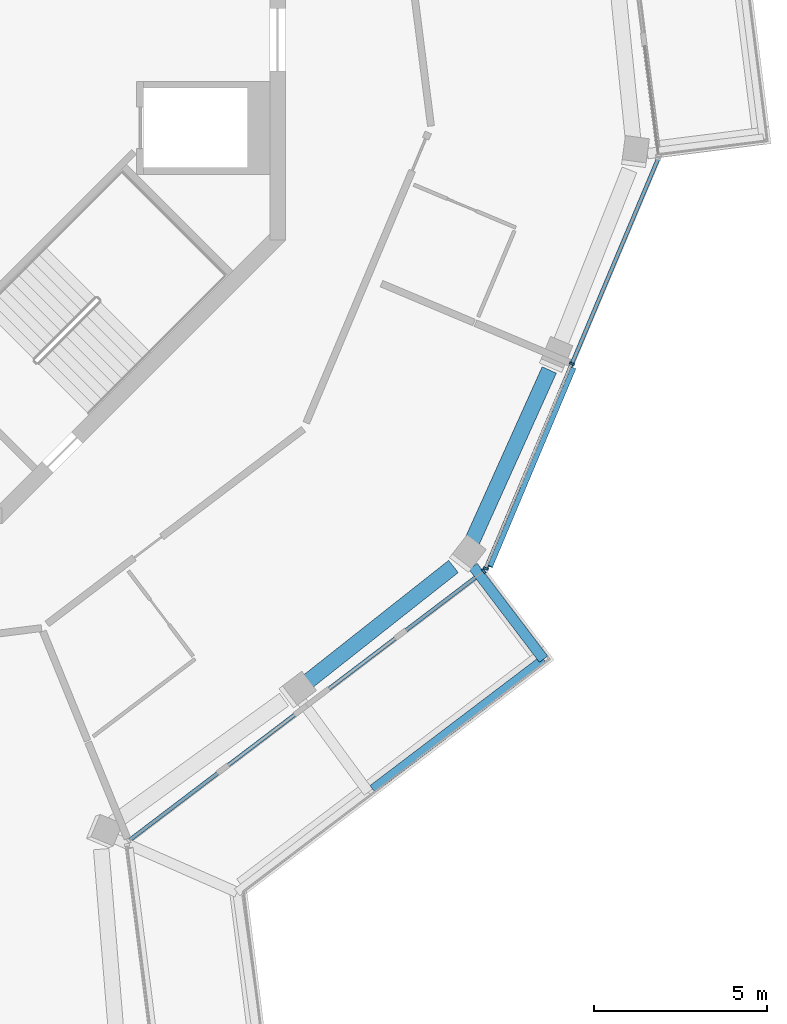
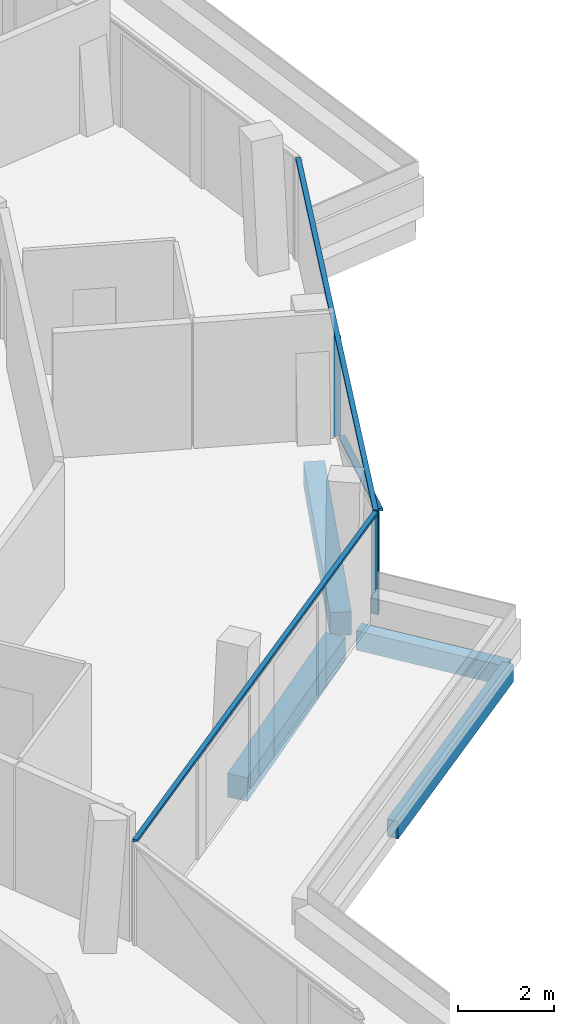
# One storey, part 4 of 26: 6 members, 4 beams, 2 elements without a shape of their own.
"""IFC4 building model written with IfcOpenShell, lengths in metres."""

from ifc_helpers import new_model, si_unit, direction, frame, origin, origin_2d, place, context, subcontext, project, spatial, rectangle, extrude, material, layer, layer_set, material_profile, profile_set, type_object, element, aggregate, save


model = new_model("IFC4")

# Units and contexts
model_context = context("Model", 3, precision=1e-05, world=origin(), true_north=direction((0.0, 1.0)))
body_context = subcontext(model_context, "Body", "Model", "MODEL_VIEW")
ifc_project = project(units=[si_unit("LENGTHUNIT", "METRE"), si_unit("AREAUNIT", "SQUARE_METRE"), si_unit("VOLUMEUNIT", "CUBIC_METRE"), si_unit("PLANEANGLEUNIT", "RADIAN"), si_unit("MASSUNIT", "GRAM", prefix="KILO")], contexts=[model_context])

# Site, building, storey
site_placement = place(None, origin())
site = spatial("IfcSite", under=ifc_project, at=site_placement, CompositionType="ELEMENT")
building_placement = place(site_placement, origin())
building = spatial("IfcBuilding", under=site, at=building_placement, Name="Verdalira Terraces Hotel", CompositionType="ELEMENT")
storey_placement = place(building_placement, frame((0.0, 0.0, 306.5)))
storey = spatial("IfcBuildingStorey", under=building, at=storey_placement, Name="L76", CompositionType="ELEMENT", Elevation=306.5)

# Beams
ifc_material_1 = material(Name="Concrete C40", Category="concrete")
ifc_material_profile_1 = material_profile(ifc_material_1, rectangle(XDim=0.300049, YDim=0.5, at=origin_2d()), Name="RC 300X500")
ifc_profile_set_1 = profile_set([ifc_material_profile_1], Name="Concrete C40")
beam_type_1 = type_object("IfcBeamType", Name="Balcony cantilever beam RC 300X500 C40", PredefinedType="BEAM", material=ifc_profile_set_1)
beam_1_placement = place(storey_placement, frame((19.434326, -15.23877, -0.560059), z_axis=(0.604614777, -0.796518029, 0.0), x_axis=(0.796518029, 0.604614777, 0.0)))
element("IfcBeam", 1, at=beam_1_placement, inside=storey, type_object=beam_type_1, Name="Balcony cantilever beam R24-4", PredefinedType="BEAM", context=body_context, shape_type="SweptSolid", body=[
    extrude(rectangle(XDim=0.300049, YDim=0.5, at=origin_2d()), origin(), (0.0, 0.0, 1.0), 3.370117),
])
ifc_material_2 = material(Name="Concrete C40", Category="concrete")
ifc_material_profile_2 = material_profile(ifc_material_2, rectangle(XDim=0.25, YDim=0.449951, at=origin_2d()), Name="RC 250X450")
ifc_profile_set_2 = profile_set([ifc_material_profile_2], Name="Concrete C40")
beam_type_2 = type_object("IfcBeamType", Name="Balcony edge beam RC 250X450 C40", PredefinedType="BEAM", material=ifc_profile_set_2)
beam_2_placement = place(storey_placement, frame((16.523926, -21.679199, -0.534912), z_axis=(0.796501344, 0.604636758, 0.0), x_axis=(-0.604636758, 0.796501344, 0.0)))
element("IfcBeam", 2, at=beam_2_placement, inside=storey, type_object=beam_type_2, Name="Balcony edge beam R24-3", PredefinedType="BEAM", context=body_context, shape_type="SweptSolid", body=[
    extrude(rectangle(XDim=0.25, YDim=0.449951, at=origin_2d()), origin(), (0.0, 0.0, 1.0), 6.212158),
])

# Curtain wall, member
ifc_material_3 = material(Name="Clear glass", Category="glass")
ifc_layer = layer(ifc_material_3, 0.14990234375)
ifc_layer_set = layer_set([ifc_layer], Name="CW1 curtain wall")
curtain_wall_type = type_object("IfcCurtainWallType", Name="CW1 curtain wall", PredefinedType="NOTDEFINED", material=ifc_layer_set)
curtain_wall_1_placement = place(storey_placement, origin())
curtain_wall_1 = element("IfcCurtainWall", 3, at=curtain_wall_1_placement, inside=storey, type_object=curtain_wall_type, Name="CW1 curtain wall L76 edge 25", PredefinedType="NOTDEFINED")
ifc_material_4 = material(Name="Terracotta frame", Category="masonry")
ifc_material_profile_3 = material_profile(ifc_material_4, rectangle(XDim=0.060059, YDim=0.149902, at=origin_2d()), Name="MU 60x150")
ifc_profile_set_3 = profile_set([ifc_material_profile_3], Name="Terracotta frame")
member_type_1 = type_object("IfcMemberType", Name="CW1 mullion 60x150", PredefinedType="MULLION", material=ifc_profile_set_3)
member_1_placement = place(storey_placement, frame((19.742676, -15.375244, 0.0), z_axis=(0.0, 0.0, 1.0), x_axis=(0.796529918, 0.604599115, 0.0)))
member_1 = element("IfcMember", 4, at=member_1_placement, type_object=member_type_1, Name="CW1 mullion", PredefinedType="MULLION", context=body_context, shape_type="SweptSolid", body=[
    extrude(rectangle(XDim=0.060059, YDim=0.149902, at=origin_2d()), origin(), (0.0, 0.0, 1.0), 2.524902),
])

# Curtain wall, members
curtain_wall_2_placement = place(storey_placement, origin())
curtain_wall_2 = element("IfcCurtainWall", 5, at=curtain_wall_2_placement, inside=storey, type_object=curtain_wall_type, Name="CW1 curtain wall L76 edge 26", PredefinedType="NOTDEFINED")
member_2_placement = place(storey_placement, frame((19.802002, -15.298828, 0.0), z_axis=(0.0, 0.0, 1.0), x_axis=(0.387515586, 0.921863152, 0.0)))
member_2 = element("IfcMember", 6, at=member_2_placement, type_object=member_type_1, Name="CW1 mullion", PredefinedType="MULLION", context=body_context, shape_type="SweptSolid", body=[
    extrude(rectangle(XDim=0.060059, YDim=0.149902, at=origin_2d()), origin(), (0.0, 0.0, 1.0), 2.524902),
])
member_3_placement = place(storey_placement, frame((22.293701, -9.371338, 0.0), z_axis=(0.0, 0.0, 1.0), x_axis=(0.387515586, 0.921863152, 0.0)))
member_3 = element("IfcMember", 7, at=member_3_placement, type_object=member_type_1, Name="CW1 mullion", PredefinedType="MULLION", context=body_context, shape_type="SweptSolid", body=[
    extrude(rectangle(XDim=0.060059, YDim=0.149902, at=origin_2d()), origin(), (0.0, 0.0, 1.0), 2.524902),
])

# Member
ifc_material_5 = material(Name="Terracotta frame", Category="masonry")
ifc_material_profile_4 = material_profile(ifc_material_5, rectangle(XDim=0.110107, YDim=0.064941, at=origin_2d()), Name="TR 65x110")
ifc_profile_set_4 = profile_set([ifc_material_profile_4], Name="Terracotta frame")
member_type_2 = type_object("IfcMemberType", Name="CW1 transom 65x110", PredefinedType="USERDEFINED", material=ifc_profile_set_4)
member_4_placement = place(storey_placement, frame((9.443848, -23.192627, 2.557617), z_axis=(0.796527966, 0.604601687, 0.0), x_axis=(-0.604601687, 0.796527966, 0.0)))
member_4 = element("IfcMember", 8, at=member_4_placement, type_object=member_type_2, Name="CW1 transom", ObjectType="TRANSOM", PredefinedType="USERDEFINED", context=body_context, shape_type="SweptSolid", body=[
    extrude(rectangle(XDim=0.110107, YDim=0.064941, at=origin_2d()), origin(), (0.0, 0.0, 1.0), 12.959717),
])

aggregate(curtain_wall_1, [member_1, member_4])

member_5_placement = place(storey_placement, frame((19.790527, -15.326416, 2.557617), z_axis=(0.387517107, 0.921862512, 0.0), x_axis=(-0.921862512, 0.387517107, 0.0)))
member_5 = element("IfcMember", 9, at=member_5_placement, type_object=member_type_2, Name="CW1 transom", ObjectType="TRANSOM", PredefinedType="USERDEFINED", context=body_context, shape_type="SweptSolid", body=[
    extrude(rectangle(XDim=0.110107, YDim=0.064941, at=origin_2d()), origin(), (0.0, 0.0, 1.0), 12.919678),
])

ifc_material_6 = material(Name="Terracotta frame", Category="masonry")
ifc_material_profile_5 = material_profile(ifc_material_6, rectangle(XDim=0.149902, YDim=0.060059, at=origin_2d()), Name="GB 60x150")
ifc_profile_set_5 = profile_set([ifc_material_profile_5], Name="Terracotta frame")
member_type_3 = type_object("IfcMemberType", Name="Diagonal glazing bar 60x150", PredefinedType="USERDEFINED", material=ifc_profile_set_5)
member_6_placement = place(storey_placement, frame((19.923828, -15.239014, 2.496338), z_axis=(0.360242079, 0.85698313, -0.368518058), x_axis=(-0.921863327, 0.387515168, 0.0)))
member_6 = element("IfcMember", 10, at=member_6_placement, type_object=member_type_3, Name="Diagonal glazing bar", ObjectType="GLAZING BAR", PredefinedType="USERDEFINED", context=body_context, shape_type="SweptSolid", body=[
    extrude(rectangle(XDim=0.149902, YDim=0.060059, at=origin_2d()), origin(), (0.0, 0.0, 1.0), 6.696533),
])

aggregate(curtain_wall_2, [member_2, member_3, member_5, member_6])

# Beams
ifc_material_7 = material(Name="Concrete C40", Category="concrete")
ifc_material_profile_6 = material_profile(ifc_material_7, rectangle(XDim=0.449951, YDim=0.600098, at=origin_2d()), Name="RC 450X600")
ifc_profile_set_6 = profile_set([ifc_material_profile_6], Name="Concrete C40")
beam_type_3 = type_object("IfcBeamType", Name="Spandrel beam RC 450X600 C40", PredefinedType="SPANDREL", material=ifc_profile_set_6)
beam_3_placement = place(storey_placement, frame((14.532715, -18.661133, -0.610107), z_axis=(0.784749186, 0.619813452, 0.0), x_axis=(-0.619813452, 0.784749186, 0.0)))
element("IfcBeam", 11, at=beam_3_placement, inside=storey, type_object=beam_type_3, Name="Spandrel beam B14", PredefinedType="SPANDREL", context=body_context, shape_type="SweptSolid", body=[
    extrude(rectangle(XDim=0.449951, YDim=0.600098, at=origin_2d()), origin(), (0.0, 0.0, 1.0), 5.52124),
])
beam_4_placement = place(storey_placement, frame((19.369873, -14.589844, -0.610107), z_axis=(0.410530076, 0.911847058, 0.0), x_axis=(-0.911847058, 0.410530076, 0.0)))
element("IfcBeam", 12, at=beam_4_placement, inside=storey, type_object=beam_type_3, Name="Spandrel beam B15", PredefinedType="SPANDREL", context=body_context, shape_type="SweptSolid", body=[
    extrude(rectangle(XDim=0.449951, YDim=0.600098, at=origin_2d()), origin(), (0.0, 0.0, 1.0), 5.523438),
])

save(model, "model.ifc")
